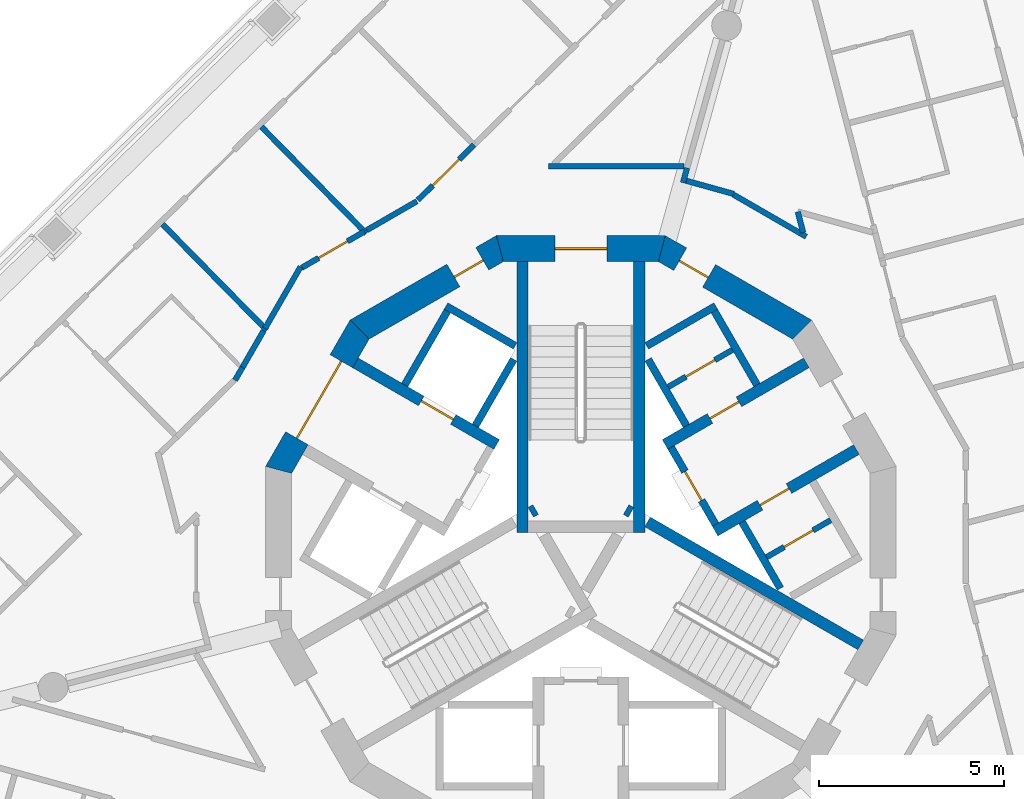
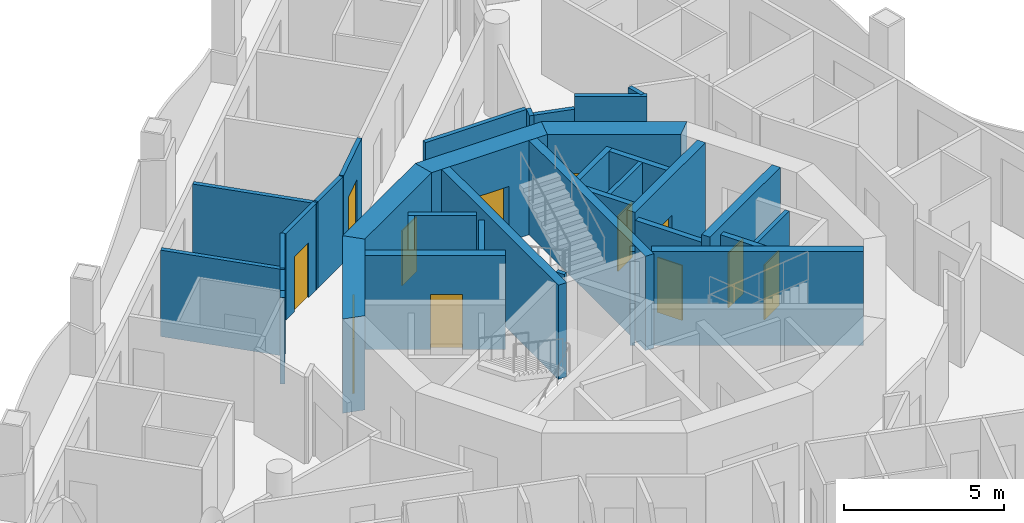
# One storey, part 5 of 15: 35 walls, 12 doors, 12 openings.
"""IFC4 building model written with IfcOpenShell, lengths in metres."""

from ifc_helpers import new_model, si_unit, direction, frame, frame_2d, origin, place, context, subcontext, project, spatial, polyline, rectangle, outline, extrude, material, layer, layer_set, type_object, element, fill, save


model = new_model("IFC4")

# Units and contexts
model_context = context("Model", 3, precision=1e-05, world=origin(), true_north=direction((0.0, 1.0)))
body_context = subcontext(model_context, "Body", "Model", "MODEL_VIEW")
ifc_project = project(units=[si_unit("LENGTHUNIT", "METRE"), si_unit("AREAUNIT", "SQUARE_METRE"), si_unit("VOLUMEUNIT", "CUBIC_METRE"), si_unit("PLANEANGLEUNIT", "RADIAN"), si_unit("MASSUNIT", "GRAM", prefix="KILO")], contexts=[model_context])

# Site, building, storey
site_placement = place(None, origin())
site = spatial("IfcSite", under=ifc_project, at=site_placement, CompositionType="ELEMENT")
building_placement = place(site_placement, origin())
building = spatial("IfcBuilding", under=site, at=building_placement, Name="Trine Commons Tower", CompositionType="ELEMENT")
storey_placement = place(building_placement, frame((0.0, 0.0, 256.5)))
storey = spatial("IfcBuildingStorey", under=building, at=storey_placement, Name="L67", CompositionType="ELEMENT", Elevation=256.5)

# Wall, opening, door
ifc_material_1 = material(Name="Plasterboard partition on steel studs", Category="steel")
ifc_layer_1 = layer(ifc_material_1, 0.14990234375)
ifc_layer_set_1 = layer_set([ifc_layer_1], Name="Plasterboard partition on steel studs")
wall_type_1 = type_object("IfcWallType", Name="Core room partition 150 mm, EI 60", PredefinedType="PARTITIONING", material=ifc_layer_set_1)
wall_1_placement = place(storey_placement, frame((82.35498046875, 66.919921875, 0.0), z_axis=(0.0, 0.0, 1.0), x_axis=(0.866010750942, 0.50002537861, 0.0)))
wall_1 = element("IfcWall", 1, at=wall_1_placement, inside=storey, type_object=wall_type_1, Name="Core room partition L67", PredefinedType="PARTITIONING", context=body_context, shape_type="SweptSolid", body=[
    extrude(rectangle(XDim=2.0, YDim=0.14990234375, at=frame_2d((1.0, 0.0))), origin(), (0.0, 0.0, 1.0), 3.300048828125),
])
opening_1_placement = place(wall_1_placement, frame((0.550537109375, 0.0, 0.0)))
opening_1 = element("IfcOpeningElement", 2, at=opening_1_placement, cuts=wall_1, Name="Opening K15.11", PredefinedType="OPENING", context=body_context, shape_type="SweptSolid", body=[
    extrude(rectangle(XDim=0.89990234375, YDim=2.10009765625, at=frame_2d((0.449951171875, 1.050048828125))), frame((0.0, 0.0849609375, 0.0), z_axis=(0.0, -1.0, 0.0), x_axis=(1.0, 0.0, 0.0)), (0.0, 0.0, 1.0), 0.169921875),
])
ifc_material_2 = material(Name="Steel door leaf, fire-rated", Category="steel")
door_type_1 = type_object("IfcDoorType", Name="Core room door, single leaf 900 x 2100, FD30S", OperationType="SINGLE_SWING_LEFT", PredefinedType="DOOR", material=ifc_material_2)
door_1_placement = place(opening_1_placement, origin())
door_1 = element("IfcDoor", 3, at=door_1_placement, inside=storey, type_object=door_type_1, Name="Door to Comms room L67", OperationType="SINGLE_SWING_RIGHT", OverallHeight=2.10009765625, OverallWidth=0.89990234375, PredefinedType="DOOR", context=body_context, shape_type="SweptSolid", body=[
    extrude(rectangle(XDim=0.89990234375, YDim=2.10009765625, at=frame_2d((0.449951171875, 1.050048828125))), frame((0.0, 0.02490234375, 0.0), z_axis=(0.0, -1.0, 0.0), x_axis=(1.0, 0.0, 0.0)), (0.0, 0.0, 1.0), 0.050048828125),
])
fill(opening_1, door_1)

wall_2_placement = place(storey_placement, frame((85.006103515625, 62.330078125, 0.0), z_axis=(0.0, 0.0, 1.0), x_axis=(0.866010750942, 0.50002537861, 0.0)))
wall_2 = element("IfcWall", 4, at=wall_2_placement, inside=storey, type_object=wall_type_1, Name="Core room partition L67", PredefinedType="PARTITIONING", context=body_context, shape_type="SweptSolid", body=[
    extrude(rectangle(XDim=2.0, YDim=0.14990234375, at=frame_2d((1.0, 0.0))), origin(), (0.0, 0.0, 1.0), 3.300048828125),
])
opening_2_placement = place(wall_2_placement, frame((0.549560546875, 0.0, 0.0)))
opening_2 = element("IfcOpeningElement", 5, at=opening_2_placement, cuts=wall_2, Name="Opening K15.13", PredefinedType="OPENING", context=body_context, shape_type="SweptSolid", body=[
    extrude(rectangle(XDim=0.89990234375, YDim=2.10009765625, at=frame_2d((0.449951171875, 1.050048828125))), frame((0.0, 0.0849609375, 0.0), z_axis=(0.0, -1.0, 0.0), x_axis=(1.0, 0.0, 0.0)), (0.0, 0.0, 1.0), 0.169921875),
])
door_2_placement = place(opening_2_placement, frame((0.89990234375, 0.0, 0.0), z_axis=(0.0, 0.0, 1.0), x_axis=(-1.0, 0.0, 0.0)))
door_2 = element("IfcDoor", 6, at=door_2_placement, inside=storey, type_object=door_type_1, Name="Door to Cleaner's store L67", OperationType="SINGLE_SWING_LEFT", OverallHeight=2.10009765625, OverallWidth=0.89990234375, PredefinedType="DOOR", context=body_context, shape_type="SweptSolid", body=[
    extrude(rectangle(XDim=0.89990234375, YDim=2.10009765625, at=frame_2d((0.449951171875, 1.050048828125))), frame((0.0, 0.02490234375, 0.0), z_axis=(0.0, -1.0, 0.0), x_axis=(1.0, 0.0, 0.0)), (0.0, 0.0, 1.0), 0.050048828125),
])
fill(opening_2, door_2)

ifc_material_3 = material(Name="Fire-rated gypsum shaft wall system")
ifc_layer_2 = layer(ifc_material_3, 0.199951171875)
ifc_layer_set_2 = layer_set([ifc_layer_2], Name="Fire-rated gypsum shaft wall system")
wall_type_2 = type_object("IfcWallType", Name="Lobby end wall 200 mm, EI 120", PredefinedType="PARTITIONING", material=ifc_layer_set_2)
wall_3_placement = place(storey_placement, frame((83.631103515625, 63.2109375, 0.0), z_axis=(0.0, 0.0, 1.0), x_axis=(-0.50012165622, 0.865955154139, 0.0)))
wall_3 = element("IfcWall", 7, at=wall_3_placement, inside=storey, type_object=wall_type_2, Name="Lobby end wall L67", PredefinedType="PARTITIONING", context=body_context, shape_type="SweptSolid", body=[
    extrude(rectangle(XDim=2.39990234375, YDim=0.199951171875, at=frame_2d((1.199951171875, 0.0))), origin(), (0.0, 0.0, 1.0), 3.300048828125),
])
opening_3_placement = place(wall_3_placement, frame((0.749755859375, 0.0, 0.0)))
opening_3 = element("IfcOpeningElement", 8, at=opening_3_placement, cuts=wall_3, Name="Opening K15.05", PredefinedType="OPENING", context=body_context, shape_type="SweptSolid", body=[
    extrude(rectangle(XDim=0.89990234375, YDim=2.10009765625, at=frame_2d((0.449951171875, 1.050048828125))), frame((0.0, 0.10986328125, 0.0), z_axis=(0.0, -1.0, 0.0), x_axis=(1.0, 0.0, 0.0)), (0.0, 0.0, 1.0), 0.219970703125),
])
door_type_2 = type_object("IfcDoorType", Name="Riser access door, single leaf 900 x 2100, FD60", OperationType="SINGLE_SWING_LEFT", PredefinedType="DOOR", material=ifc_material_2)
door_3_placement = place(opening_3_placement, frame((0.89990234375, 0.0, 0.0), z_axis=(0.0, 0.0, 1.0), x_axis=(-1.0, 0.0, 0.0)))
door_3 = element("IfcDoor", 9, at=door_3_placement, inside=storey, type_object=door_type_2, Name="Riser door, Electrical riser L67", OperationType="SINGLE_SWING_LEFT", OverallHeight=2.10009765625, OverallWidth=0.89990234375, PredefinedType="DOOR", context=body_context, shape_type="SweptSolid", body=[
    extrude(rectangle(XDim=0.89990234375, YDim=2.10009765625, at=frame_2d((0.449951171875, 1.050048828125))), frame((0.0, 0.02490234375, 0.0), z_axis=(0.0, -1.0, 0.0), x_axis=(1.0, 0.0, 0.0)), (0.0, 0.0, 1.0), 0.050048828125),
])
fill(opening_3, door_3)

ifc_material_4 = material(Name="Concrete C50/60", Category="concrete")
ifc_layer_3 = layer(ifc_material_4, 0.300048828125)
ifc_layer_set_3 = layer_set([ifc_layer_3], Name="Concrete C50/60")
wall_type_3 = type_object("IfcWallType", Name="RC shear wall 300 mm, C50/60", PredefinedType="SHEAR", material=ifc_layer_set_3)
wall_4_placement = place(storey_placement, frame((77.73095703125, 65.368896484375, 0.0), z_axis=(0.0, 0.0, 1.0), x_axis=(-0.866035918664, 0.499981787252, 0.0)))
wall_4 = element("IfcWall", 10, at=wall_4_placement, inside=storey, type_object=wall_type_3, Name="Core cross wall SWC-02 L67", PredefinedType="SHEAR", context=body_context, shape_type="SweptSolid", body=[
    extrude(rectangle(XDim=4.400634765625, YDim=0.300048828125, at=frame_2d((2.2001953125, 0.0))), origin(), (0.0, 0.0, 1.0), 3.60009765625),
])
opening_4_placement = place(wall_4_placement, frame((1.3505859375, 0.0, 0.0)))
opening_4 = element("IfcOpeningElement", 11, at=opening_4_placement, cuts=wall_4, Name="Opening LD8", PredefinedType="OPENING", context=body_context, shape_type="SweptSolid", body=[
    extrude(rectangle(XDim=1.0, YDim=2.10009765625, at=frame_2d((0.5, 1.050048828125))), frame((0.0, 0.159912109375, 0.0), z_axis=(0.0, -1.0, 0.0), x_axis=(1.0, 0.0, 0.0)), (0.0, 0.0, 1.0), 0.320068359375),
])
ifc_material_5 = material(Name="Stainless steel sliding door leaves", Category="steel")
door_type_3 = type_object("IfcDoorType", Name="Lift landing door, centre-opening sliding 1000 x 2100, FD90", OperationType="DOUBLE_DOOR_SLIDING", PredefinedType="DOOR", material=ifc_material_5)
door_4_placement = place(opening_4_placement, origin())
door_4 = element("IfcDoor", 12, at=door_4_placement, inside=storey, type_object=door_type_3, Name="Lift landing door HR4 L67", OperationType="DOUBLE_DOOR_SLIDING", OverallHeight=2.10009765625, OverallWidth=1.0, PredefinedType="DOOR", context=body_context, shape_type="SweptSolid", body=[
    extrude(rectangle(XDim=1.0, YDim=2.10009765625, at=frame_2d((0.5, 1.050048828125))), frame((0.0, 0.02490234375, 0.0), z_axis=(0.0, -1.0, 0.0), x_axis=(1.0, 0.0, 0.0)), (0.0, 0.0, 1.0), 0.050048828125),
])
fill(opening_4, door_4)

wall_5_placement = place(storey_placement, frame((82.26904296875, 65.368896484375, 0.0), z_axis=(0.0, 0.0, 1.0), x_axis=(0.866035918664, 0.499981787252, 0.0)))
wall_5 = element("IfcWall", 13, at=wall_5_placement, inside=storey, type_object=wall_type_3, Name="Core cross wall SWC-05 L67", PredefinedType="SHEAR", context=body_context, shape_type="SweptSolid", body=[
    extrude(rectangle(XDim=4.400634765625, YDim=0.300048828125, at=frame_2d((2.2001953125, 0.0))), origin(), (0.0, 0.0, 1.0), 3.60009765625),
])
opening_5_placement = place(wall_5_placement, frame((1.400390625, 0.0, 0.0)))
opening_5 = element("IfcOpeningElement", 14, at=opening_5_placement, cuts=wall_5, Name="Opening K15.10", PredefinedType="OPENING", context=body_context, shape_type="SweptSolid", body=[
    extrude(rectangle(XDim=0.89990234375, YDim=2.10009765625, at=frame_2d((0.449951171875, 1.050048828125))), frame((0.0, 0.159912109375, 0.0), z_axis=(0.0, -1.0, 0.0), x_axis=(1.0, 0.0, 0.0)), (0.0, 0.0, 1.0), 0.320068359375),
])
door_5_placement = place(opening_5_placement, origin())
door_5 = element("IfcDoor", 15, at=door_5_placement, inside=storey, type_object=door_type_1, Name="Door to Pantry L67", OperationType="SINGLE_SWING_LEFT", OverallHeight=2.10009765625, OverallWidth=0.89990234375, PredefinedType="DOOR", context=body_context, shape_type="SweptSolid", body=[
    extrude(rectangle(XDim=0.89990234375, YDim=2.10009765625, at=frame_2d((0.449951171875, 1.050048828125))), frame((0.0, 0.02490234375, 0.0), z_axis=(0.0, -1.0, 0.0), x_axis=(1.0, 0.0, 0.0)), (0.0, 0.0, 1.0), 0.050048828125),
])
fill(opening_5, door_5)

wall_6_placement = place(storey_placement, frame((83.618896484375, 63.031005859375, 0.0), z_axis=(0.0, 0.0, 1.0), x_axis=(0.866059941101, 0.499940174841, 0.0)))
wall_6 = element("IfcWall", 16, at=wall_6_placement, inside=storey, type_object=wall_type_3, Name="Core cross wall SWC-06 L67", PredefinedType="SHEAR", context=body_context, shape_type="SweptSolid", body=[
    extrude(rectangle(XDim=4.400390625, YDim=0.300048828125, at=frame_2d((2.2001953125, 0.0))), origin(), (0.0, 0.0, 1.0), 3.60009765625),
])
opening_6_placement = place(wall_6_placement, frame((1.400390625, 0.0, 0.0)))
opening_6 = element("IfcOpeningElement", 17, at=opening_6_placement, cuts=wall_6, Name="Opening K15.12", PredefinedType="OPENING", context=body_context, shape_type="SweptSolid", body=[
    extrude(rectangle(XDim=0.89990234375, YDim=2.10009765625, at=frame_2d((0.449951171875, 1.050048828125))), frame((0.0, 0.159912109375, 0.0), z_axis=(0.0, -1.0, 0.0), x_axis=(1.0, 0.0, 0.0)), (0.0, 0.0, 1.0), 0.320068359375),
])
door_6_placement = place(opening_6_placement, frame((0.89990234375, 0.0, 0.0), z_axis=(0.0, 0.0, 1.0), x_axis=(-1.0, 0.0, 0.0)))
door_6 = element("IfcDoor", 18, at=door_6_placement, inside=storey, type_object=door_type_1, Name="Door to Parcel store L67", OperationType="SINGLE_SWING_LEFT", OverallHeight=2.10009765625, OverallWidth=0.89990234375, PredefinedType="DOOR", context=body_context, shape_type="SweptSolid", body=[
    extrude(rectangle(XDim=0.89990234375, YDim=2.10009765625, at=frame_2d((0.449951171875, 1.050048828125))), frame((0.0, 0.02490234375, 0.0), z_axis=(0.0, -1.0, 0.0), x_axis=(1.0, 0.0, 0.0)), (0.0, 0.0, 1.0), 0.050048828125),
])
fill(opening_6, door_6)

# Walls
wall_7_placement = place(storey_placement, frame((78.425048828125, 63.0009765625, 0.0), z_axis=(0.0, 0.0, 1.0), x_axis=(0.0, 1.0, 0.0)))
element("IfcWall", 19, at=wall_7_placement, inside=storey, type_object=wall_type_3, Name="Core cross wall SWC-08 L67", PredefinedType="SHEAR", context=body_context, shape_type="SweptSolid", body=[
    extrude(rectangle(XDim=7.299072265625, YDim=0.300048828125, at=frame_2d((3.6494140625, 0.0))), origin(), (0.0, 0.0, 1.0), 3.60009765625),
])
for number, where, z_axis, x_axis, name in (
    (20, (78.779052734375, 63.614013671875, 0.0), (0.0, 0.0, 1.0), (-0.867737973955, -0.497021939713, 0.0), "Core cross wall SWC-09 L67"),
    (21, (81.220947265625, 63.614013671875, 0.0), (0.0, 0.0, 1.0), (0.867737973955, -0.497021939713, 0.0), "Core cross wall SWC-15 L67"),
):
    element("IfcWall", number, at=place(storey_placement, frame(where, z_axis=z_axis, x_axis=x_axis)), inside=storey, type_object=wall_type_3, Name=name, PredefinedType="SHEAR", context=body_context, shape_type="SweptSolid", body=[
        extrude(rectangle(XDim=0.14892578125, YDim=0.300048828125, at=frame_2d((0.074462890625, 0.0))), origin(), (0.0, 0.0, 1.0), 3.60009765625),
    ])
wall_8_placement = place(storey_placement, frame((81.574951171875, 63.0009765625, 0.0), z_axis=(0.0, 0.0, 1.0), x_axis=(0.0, 1.0, 0.0)))
element("IfcWall", 22, at=wall_8_placement, inside=storey, type_object=wall_type_3, Name="Core cross wall SWC-17 L67", PredefinedType="SHEAR", context=body_context, shape_type="SweptSolid", body=[
    extrude(rectangle(XDim=7.299072265625, YDim=0.300048828125, at=frame_2d((3.6494140625, 0.0))), origin(), (0.0, 0.0, 1.0), 3.60009765625),
])
wall_9_placement = place(storey_placement, frame((81.800048828125, 63.280029296875, 0.0), z_axis=(0.0, 0.0, 1.0), x_axis=(0.866009627307, -0.500027324665, 0.0)))
element("IfcWall", 23, at=wall_9_placement, inside=storey, type_object=wall_type_3, Name="Core cross wall SWC-18 L67", PredefinedType="SHEAR", context=body_context, shape_type="SweptSolid", body=[
    extrude(rectangle(XDim=6.631591796875, YDim=0.300048828125, at=frame_2d((3.31591796875, 0.0))), origin(), (0.0, 0.0, 1.0), 3.60009765625),
])

# Wall, opening, door
ifc_layer_4 = layer(ifc_material_4, 0.699951171875)
ifc_layer_set_4 = layer_set([ifc_layer_4], Name="Concrete C50/60")
wall_type_4 = type_object("IfcWallType", Name="RC shear wall 700 mm, C50/60", PredefinedType="SHEAR", material=ifc_layer_set_4)
wall_10_placement = place(storey_placement, frame((86.047607421875, 68.41943359375, 0.0), z_axis=(0.0, 0.0, 1.0), x_axis=(-0.866034756103, 0.499983800959, 0.0)))
wall_10 = element("IfcWall", 24, at=wall_10_placement, inside=storey, type_object=wall_type_4, Name="Core wall CWG-03 L67", PredefinedType="SHEAR", context=body_context, shape_type="SweptSolid", body=[
    extrude(outline(polyline([(0.0, -0.35009765625), (4.55517578125, -0.35009765625), (4.36767578125, 0.35009765625), (0.1875, 0.35009765625), (0.0, -0.35009765625)])), origin(), (0.0, 0.0, 1.0), 3.60009765625),
])
opening_7_placement = place(wall_10_placement, frame((2.990966796875, 0.0, 0.0)))
opening_7 = element("IfcOpeningElement", 25, at=opening_7_placement, cuts=wall_10, Name="Opening K15.14", PredefinedType="OPENING", context=body_context, shape_type="SweptSolid", body=[
    extrude(rectangle(XDim=0.89990234375, YDim=2.10009765625, at=frame_2d((0.449951171875, 1.050048828125))), frame((0.0, 0.35986328125, 0.0), z_axis=(0.0, -1.0, 0.0), x_axis=(1.0, 0.0, 0.0)), (0.0, 0.0, 1.0), 0.719970703125),
])
door_7_placement = place(opening_7_placement, origin())
door_7 = element("IfcDoor", 26, at=door_7_placement, inside=storey, type_object=door_type_1, Name="Door to Core WC L67", OperationType="SINGLE_SWING_RIGHT", OverallHeight=2.10009765625, OverallWidth=0.89990234375, PredefinedType="DOOR", context=body_context, shape_type="SweptSolid", body=[
    extrude(rectangle(XDim=0.89990234375, YDim=2.10009765625, at=frame_2d((0.449951171875, 1.050048828125))), frame((0.0, 0.0751953125, 0.0), z_axis=(0.0, -1.0, 0.0), x_axis=(1.0, 0.0, 0.0)), (0.0, 0.0, 1.0), 0.050048828125),
])
fill(opening_7, door_7)

wall_11_placement = place(storey_placement, frame((82.277587890625, 70.650146484375, 0.0), z_axis=(0.0, 0.0, 1.0), x_axis=(-1.0, 0.0, 0.0)))
wall_11 = element("IfcWall", 27, at=wall_11_placement, inside=storey, type_object=wall_type_4, Name="Core wall CWG-04 L67", PredefinedType="SHEAR", context=body_context, shape_type="SweptSolid", body=[
    extrude(outline(polyline([(0.0, -0.35009765625), (4.55517578125, -0.35009765625), (4.36767578125, 0.35009765625), (0.1875, 0.35009765625), (0.0, -0.35009765625)])), origin(), (0.0, 0.0, 1.0), 3.60009765625),
])
opening_8_placement = place(wall_11_placement, frame((1.57763671875, 0.0, 0.0)))
opening_8 = element("IfcOpeningElement", 28, at=opening_8_placement, cuts=wall_11, Name="Opening K15.01", PredefinedType="OPENING", context=body_context, shape_type="SweptSolid", body=[
    extrude(rectangle(XDim=1.39990234375, YDim=2.10009765625, at=frame_2d((0.699951171875, 1.050048828125))), frame((0.0, 0.35986328125, 0.0), z_axis=(0.0, -1.0, 0.0), x_axis=(1.0, 0.0, 0.0)), (0.0, 0.0, 1.0), 0.719970703125),
])
ifc_material_6 = material(Name="Steel door leaves, fire-rated", Category="steel")
door_type_4 = type_object("IfcDoorType", Name="Stair door, double leaf 1400 x 2100, FD90", OperationType="DOUBLE_DOOR_SINGLE_SWING", PredefinedType="DOOR", material=ifc_material_6)
door_8_placement = place(opening_8_placement, origin())
door_8 = element("IfcDoor", 29, at=door_8_placement, inside=storey, type_object=door_type_4, Name="Stair door to Exit stair ST1C L67", OperationType="DOUBLE_DOOR_SINGLE_SWING", OverallHeight=2.10009765625, OverallWidth=1.39990234375, PredefinedType="DOOR", context=body_context, shape_type="SweptSolid", body=[
    extrude(rectangle(XDim=1.39990234375, YDim=2.10009765625, at=frame_2d((0.699951171875, 1.050048828125))), frame((0.0, 0.02490234375, 0.0), z_axis=(0.0, -1.0, 0.0), x_axis=(1.0, 0.0, 0.0)), (0.0, 0.0, 1.0), 0.050048828125),
])
fill(opening_8, door_8)

wall_12_placement = place(storey_placement, frame((77.8974609375, 70.697021484375, 0.0), z_axis=(0.0, 0.0, 1.0), x_axis=(-0.866034756103, -0.499983800959, 0.0)))
wall_12 = element("IfcWall", 30, at=wall_12_placement, inside=storey, type_object=wall_type_4, Name="Core wall CWG-05 L67", PredefinedType="SHEAR", context=body_context, shape_type="SweptSolid", body=[
    extrude(outline(polyline([(0.0, -0.35009765625), (4.55517578125, -0.35009765625), (4.36767578125, 0.35009765625), (0.1875, 0.35009765625), (0.0, -0.35009765625)])), origin(), (0.0, 0.0, 1.0), 3.60009765625),
])
opening_9_placement = place(wall_12_placement, frame((0.641845703125, 0.0, 0.0)))
opening_9 = element("IfcOpeningElement", 31, at=opening_9_placement, cuts=wall_12, Name="Opening K15.15", PredefinedType="OPENING", context=body_context, shape_type="SweptSolid", body=[
    extrude(rectangle(XDim=0.89990234375, YDim=2.10009765625, at=frame_2d((0.449951171875, 1.050048828125))), frame((0.0, 0.35986328125, 0.0), z_axis=(0.0, -1.0, 0.0), x_axis=(1.0, 0.0, 0.0)), (0.0, 0.0, 1.0), 0.719970703125),
])
door_9_placement = place(opening_9_placement, origin())
door_9 = element("IfcDoor", 32, at=door_9_placement, inside=storey, type_object=door_type_1, Name="Door to Accessible WC L67", OperationType="SINGLE_SWING_LEFT", OverallHeight=2.10009765625, OverallWidth=0.89990234375, PredefinedType="DOOR", context=body_context, shape_type="SweptSolid", body=[
    extrude(rectangle(XDim=0.89990234375, YDim=2.10009765625, at=frame_2d((0.449951171875, 1.050048828125))), frame((0.0, 0.0751953125, 0.0), z_axis=(0.0, -1.0, 0.0), x_axis=(1.0, 0.0, 0.0)), (0.0, 0.0, 1.0), 0.050048828125),
])
fill(opening_9, door_9)

wall_13_placement = place(storey_placement, frame((74.08056640625, 68.547607421875, 0.0), z_axis=(0.0, 0.0, 1.0), x_axis=(-0.499983800959, -0.866034756103, 0.0)))
wall_13 = element("IfcWall", 33, at=wall_13_placement, inside=storey, type_object=wall_type_4, Name="Core wall CWG-06 L67", PredefinedType="SHEAR", context=body_context, shape_type="SweptSolid", body=[
    extrude(outline(polyline([(0.0, -0.35009765625), (4.55517578125, -0.35009765625), (4.36767578125, 0.35009765625), (0.1875, 0.35009765625), (0.0, -0.35009765625)])), origin(), (0.0, 0.0, 1.0), 3.60009765625),
])
opening_10_placement = place(wall_13_placement, frame((1.077392578125, 0.0, 0.0)))
opening_10 = element("IfcOpeningElement", 34, at=opening_10_placement, cuts=wall_13, Name="Opening K15.06", PredefinedType="OPENING", context=body_context, shape_type="SweptSolid", body=[
    extrude(rectangle(XDim=2.39990234375, YDim=2.10009765625, at=frame_2d((1.199951171875, 1.050048828125))), frame((0.0, 0.35986328125, 0.0), z_axis=(0.0, -1.0, 0.0), x_axis=(1.0, 0.0, 0.0)), (0.0, 0.0, 1.0), 0.719970703125),
])
door_type_5 = type_object("IfcDoorType", Name="Lobby door, double leaf 2400 x 2100, FD60", OperationType="DOUBLE_DOOR_SINGLE_SWING", PredefinedType="DOOR", material=ifc_material_6)
door_10_placement = place(opening_10_placement, origin())
door_10 = element("IfcDoor", 35, at=door_10_placement, inside=storey, type_object=door_type_5, Name="Lobby door, Passenger lift lobby B L67", OperationType="DOUBLE_DOOR_SINGLE_SWING", OverallHeight=2.10009765625, OverallWidth=2.39990234375, PredefinedType="DOOR", context=body_context, shape_type="SweptSolid", body=[
    extrude(rectangle(XDim=2.39990234375, YDim=2.10009765625, at=frame_2d((1.199951171875, 1.050048828125))), frame((0.0, 0.02490234375, 0.0), z_axis=(0.0, -1.0, 0.0), x_axis=(1.0, 0.0, 0.0)), (0.0, 0.0, 1.0), 0.050048828125),
])
fill(opening_10, door_10)

# Walls
ifc_layer_5 = layer(ifc_material_3, 0.199951171875)
ifc_layer_set_5 = layer_set([ifc_layer_5], Name="Fire-rated gypsum shaft wall system")
wall_type_5 = type_object("IfcWallType", Name="Shaft wall 200 mm, EI 120", PredefinedType="PARTITIONING", material=ifc_layer_set_5)
wall_14_placement = place(storey_placement, frame((75.2509765625, 66.97412109375, 0.0), z_axis=(0.0, 0.0, 1.0), x_axis=(0.500136062276, 0.86594683394, 0.0)))
element("IfcWall", 36, at=wall_14_placement, inside=storey, type_object=wall_type_5, Name="Shaft wall L67", PredefinedType="PARTITIONING", context=body_context, shape_type="SweptSolid", body=[
    extrude(rectangle(XDim=2.299072265625, YDim=0.199951171875, at=frame_2d((1.1494140625, 0.0))), origin(), (0.0, 0.0, 1.0), 3.300048828125),
])
wall_15_placement = place(storey_placement, frame((77.156005859375, 65.8740234375, 0.0), z_axis=(0.0, 0.0, 1.0), x_axis=(0.499865770674, 0.866102887253, 0.0)))
element("IfcWall", 37, at=wall_15_placement, inside=storey, type_object=wall_type_5, Name="Shaft wall L67", PredefinedType="PARTITIONING", context=body_context, shape_type="SweptSolid", body=[
    extrude(rectangle(XDim=2.064453125, YDim=0.199951171875, at=frame_2d((1.0322265625, 0.0))), origin(), (0.0, 0.0, 1.0), 3.300048828125),
])
for number, where, z_axis, x_axis, name in (
    (38, (78.22509765625, 68.028076171875, 0.0), (0.0, 0.0, 1.0), (-0.866130725101, 0.499817533742, 0.0), "Shaft wall L67"),
    (39, (81.77490234375, 68.028076171875, 0.0), (0.0, 0.0, 1.0), (0.866130725101, 0.499817533742, 0.0), "Shaft wall L67"),
):
    element("IfcWall", number, at=place(storey_placement, frame(where, z_axis=z_axis, x_axis=x_axis)), inside=storey, type_object=wall_type_5, Name=name, PredefinedType="PARTITIONING", context=body_context, shape_type="SweptSolid", body=[
        extrude(rectangle(XDim=2.148681640625, YDim=0.199951171875, at=frame_2d((1.07421875, 0.0))), origin(), (0.0, 0.0, 1.0), 3.300048828125),
    ])
wall_16_placement = place(storey_placement, frame((82.843994140625, 65.8740234375, 0.0), z_axis=(0.0, 0.0, 1.0), x_axis=(-0.499865770674, 0.866102887253, 0.0)))
element("IfcWall", 40, at=wall_16_placement, inside=storey, type_object=wall_type_5, Name="Shaft wall L67", PredefinedType="PARTITIONING", context=body_context, shape_type="SweptSolid", body=[
    extrude(rectangle(XDim=2.064453125, YDim=0.199951171875, at=frame_2d((1.0322265625, 0.0))), origin(), (0.0, 0.0, 1.0), 3.300048828125),
])
wall_17_placement = place(storey_placement, frame((84.343994140625, 63.27587890625, 0.0), z_axis=(0.0, 0.0, 1.0), x_axis=(0.500271688072, -0.86586848777, 0.0)))
element("IfcWall", 41, at=wall_17_placement, inside=storey, type_object=wall_type_5, Name="Shaft wall L67", PredefinedType="PARTITIONING", context=body_context, shape_type="SweptSolid", body=[
    extrude(rectangle(XDim=2.064697265625, YDim=0.199951171875, at=frame_2d((1.0322265625, 0.0))), origin(), (0.0, 0.0, 1.0), 3.300048828125),
])
wall_18_placement = place(storey_placement, frame((84.7490234375, 66.97412109375, 0.0), z_axis=(0.0, 0.0, 1.0), x_axis=(-0.500136062276, 0.86594683394, 0.0)))
element("IfcWall", 42, at=wall_18_placement, inside=storey, type_object=wall_type_5, Name="Shaft wall L67", PredefinedType="PARTITIONING", context=body_context, shape_type="SweptSolid", body=[
    extrude(rectangle(XDim=2.299072265625, YDim=0.199951171875, at=frame_2d((1.1494140625, 0.0))), origin(), (0.0, 0.0, 1.0), 3.300048828125),
])
ifc_material_7 = material(Name="Gypsum plasterboard on steel stud", Category="steel")
ifc_layer_6 = layer(ifc_material_7, 0.14990234375)
ifc_layer_set_6 = layer_set([ifc_layer_6], Name="Gypsum plasterboard on steel stud")
wall_type_6 = type_object("IfcWallType", Name="Unit and corridor wall 150 mm, EI 60", PredefinedType="PARTITIONING", material=ifc_layer_set_6)
wall_19_placement = place(storey_placement, frame((68.720947265625, 71.3076171875, 0.0), z_axis=(0.0, 0.0, 1.0), x_axis=(0.700815785944, -0.713342298039, 0.0)))
element("IfcWall", 43, at=wall_19_placement, inside=storey, type_object=wall_type_6, Name="Partition 024", PredefinedType="PARTITIONING", context=body_context, shape_type="SweptSolid", body=[
    extrude(rectangle(XDim=4.014892578125, YDim=0.14990234375, at=frame_2d((2.00732421875, 0.0))), origin(), (0.0, 0.0, 1.0), 3.300048828125),
])
wall_20_placement = place(storey_placement, frame((70.67578125, 67.101806640625, 0.0), z_axis=(0.0, 0.0, 1.0), x_axis=(0.500795801589, 0.865565459749, 0.0)))
element("IfcWall", 44, at=wall_20_placement, inside=storey, type_object=wall_type_6, Name="Partition 035", PredefinedType="PARTITIONING", context=body_context, shape_type="SweptSolid", body=[
    extrude(rectangle(XDim=0.400146484375, YDim=0.14990234375, at=frame_2d((0.2001953125, 0.0))), origin(), (0.0, 0.0, 1.0), 3.300048828125),
])
wall_21_placement = place(storey_placement, frame((70.8359375, 67.378662109375, 0.0), z_axis=(0.0, 0.0, 1.0), x_axis=(0.500074377092, 0.865982457891, 0.0)))
element("IfcWall", 45, at=wall_21_placement, inside=storey, type_object=wall_type_6, Name="Partition 037", PredefinedType="PARTITIONING", context=body_context, shape_type="SweptSolid", body=[
    extrude(rectangle(XDim=1.220947265625, YDim=0.14990234375, at=frame_2d((0.6103515625, 0.0))), origin(), (0.0, 0.0, 1.0), 3.300048828125),
])
wall_22_placement = place(storey_placement, frame((71.389892578125, 73.931396484375, 0.0), z_axis=(0.0, 0.0, 1.0), x_axis=(0.700963396894, -0.713197249164, 0.0)))
element("IfcWall", 46, at=wall_22_placement, inside=storey, type_object=wall_type_6, Name="Partition 039", PredefinedType="PARTITIONING", context=body_context, shape_type="SweptSolid", body=[
    extrude(rectangle(XDim=4.03125, YDim=0.14990234375, at=frame_2d((2.015625, 0.0))), origin(), (0.0, 0.0, 1.0), 3.300048828125),
])
wall_23_placement = place(storey_placement, frame((71.47998046875, 68.493896484375, 0.0), z_axis=(0.0, 0.0, 1.0), x_axis=(0.500205717672, 0.865906600049, 0.0)))
element("IfcWall", 47, at=wall_23_placement, inside=storey, type_object=wall_type_6, Name="Partition 040", PredefinedType="PARTITIONING", context=body_context, shape_type="SweptSolid", body=[
    extrude(rectangle(XDim=1.924072265625, YDim=0.14990234375, at=frame_2d((0.9619140625, 0.0))), origin(), (0.0, 0.0, 1.0), 3.300048828125),
])

# Wall, opening, door
wall_24_placement = place(storey_placement, frame((72.469970703125, 70.132568359375, 0.0), z_axis=(0.0, 0.0, 1.0), x_axis=(0.865963449651, 0.500107292357, 0.0)))
wall_24 = element("IfcWall", 48, at=wall_24_placement, inside=storey, type_object=wall_type_6, Name="Partition 042", PredefinedType="PARTITIONING", context=body_context, shape_type="SweptSolid", body=[
    extrude(rectangle(XDim=1.95849609375, YDim=0.14990234375, at=frame_2d((0.979248046875, 0.0))), origin(), (0.0, 0.0, 1.0), 3.300048828125),
])
opening_11_placement = place(wall_24_placement, frame((0.527587890625, 0.0, 0.0)))
opening_11 = element("IfcOpeningElement", 49, at=opening_11_placement, cuts=wall_24, Name="Opening D-7C06", PredefinedType="OPENING", context=body_context, shape_type="SweptSolid", body=[
    extrude(rectangle(XDim=0.89990234375, YDim=2.10009765625, at=frame_2d((0.449951171875, 1.050048828125))), frame((0.0, 0.0849609375, 0.0), z_axis=(0.0, -1.0, 0.0), x_axis=(1.0, 0.0, 0.0)), (0.0, 0.0, 1.0), 0.169921875),
])
ifc_material_8 = material(Name="Timber fire door set", Category="wood")
door_type_6 = type_object("IfcDoorType", Name="Service door 900 x 2100, FD30S", OperationType="NOTDEFINED", PredefinedType="DOOR", material=ifc_material_8)
door_11_placement = place(opening_11_placement, origin())
door_11 = element("IfcDoor", 50, at=door_11_placement, inside=storey, type_object=door_type_6, Name="Door D-7C06", OperationType="SINGLE_SWING_LEFT", OverallHeight=2.10009765625, OverallWidth=0.89990234375, PredefinedType="DOOR", context=body_context, shape_type="SweptSolid", body=[
    extrude(rectangle(XDim=0.89990234375, YDim=2.10009765625, at=frame_2d((0.449951171875, 1.050048828125))), frame((0.0, 0.02490234375, 0.0), z_axis=(0.0, -1.0, 0.0), x_axis=(1.0, 0.0, 0.0)), (0.0, 0.0, 1.0), 0.050048828125),
])
fill(opening_11, door_11)

# Wall
wall_25_placement = place(storey_placement, frame((74.22412109375, 71.1455078125, 0.0), z_axis=(0.0, 0.0, 1.0), x_axis=(0.866052944554, 0.499952294954, 0.0)))
element("IfcWall", 51, at=wall_25_placement, inside=storey, type_object=wall_type_6, Name="Partition 046", PredefinedType="PARTITIONING", context=body_context, shape_type="SweptSolid", body=[
    extrude(rectangle(XDim=1.563232421875, YDim=0.14990234375, at=frame_2d((0.78173828125, 0.0))), origin(), (0.0, 0.0, 1.0), 3.300048828125),
])

# Wall, opening, door
wall_26_placement = place(storey_placement, frame((75.60498046875, 71.9599609375, 0.0), z_axis=(0.0, 0.0, 1.0), x_axis=(0.713406050761, 0.70075088779, 0.0)))
wall_26 = element("IfcWall", 52, at=wall_26_placement, inside=storey, type_object=wall_type_6, Name="Partition 048", PredefinedType="PARTITIONING", context=body_context, shape_type="SweptSolid", body=[
    extrude(rectangle(XDim=2.1220703125, YDim=0.14990234375, at=frame_2d((1.06103515625, 0.0))), origin(), (0.0, 0.0, 1.0), 3.300048828125),
])
opening_12_placement = place(wall_26_placement, frame((0.559326171875, 0.0, 0.0)))
opening_12 = element("IfcOpeningElement", 53, at=opening_12_placement, cuts=wall_26, Name="Opening D-7C07", PredefinedType="OPENING", context=body_context, shape_type="SweptSolid", body=[
    extrude(rectangle(XDim=1.0, YDim=2.10009765625, at=frame_2d((0.5, 1.050048828125))), frame((0.0, 0.0849609375, 0.0), z_axis=(0.0, -1.0, 0.0), x_axis=(1.0, 0.0, 0.0)), (0.0, 0.0, 1.0), 0.169921875),
])
ifc_material_9 = material(Name="Painted timber", Category="wood")
door_type_7 = type_object("IfcDoorType", Name="Amenity room door 1000 x 2100, NOT RATED", OperationType="NOTDEFINED", PredefinedType="DOOR", material=ifc_material_9)
door_12_placement = place(opening_12_placement, origin())
door_12 = element("IfcDoor", 54, at=door_12_placement, inside=storey, type_object=door_type_7, Name="Door D-7C07", OperationType="SINGLE_SWING_LEFT", OverallHeight=2.10009765625, OverallWidth=1.0, PredefinedType="DOOR", context=body_context, shape_type="SweptSolid", body=[
    extrude(rectangle(XDim=1.0, YDim=2.10009765625, at=frame_2d((0.5, 1.050048828125))), frame((0.0, 0.02490234375, 0.0), z_axis=(0.0, -1.0, 0.0), x_axis=(1.0, 0.0, 0.0)), (0.0, 0.0, 1.0), 0.050048828125),
])
fill(opening_12, door_12)

# Walls
wall_27_placement = place(storey_placement, frame((79.133056640625, 72.875, 0.0), z_axis=(0.0, 0.0, 1.0), x_axis=(1.0, 0.0, 0.0)))
element("IfcWall", 55, at=wall_27_placement, inside=storey, type_object=wall_type_6, Name="Partition 053", PredefinedType="PARTITIONING", context=body_context, shape_type="SweptSolid", body=[
    extrude(rectangle(XDim=3.64697265625, YDim=0.14990234375, at=frame_2d((1.823486328125, 0.0))), origin(), (0.0, 0.0, 1.0), 2.800048828125),
])
wall_28_placement = place(storey_placement, frame((82.7529296875, 72.42578125, 0.0), z_axis=(0.0, 0.0, 1.0), x_axis=(0.266887464326, 0.96372770085, 0.0)))
element("IfcWall", 56, at=wall_28_placement, inside=storey, type_object=wall_type_6, Name="Partition 065", PredefinedType="PARTITIONING", context=body_context, shape_type="SweptSolid", body=[
    extrude(rectangle(XDim=0.416259765625, YDim=0.14990234375, at=frame_2d((0.2080078125, 0.0))), origin(), (0.0, 0.0, 1.0), 2.800048828125),
])
wall_29_placement = place(storey_placement, frame((82.84521484375, 72.477783203125, 0.0), z_axis=(0.0, 0.0, 1.0), x_axis=(0.963623826389, -0.267262270467, 0.0)))
element("IfcWall", 57, at=wall_29_placement, inside=storey, type_object=wall_type_6, Name="Partition 066", PredefinedType="PARTITIONING", context=body_context, shape_type="SweptSolid", body=[
    extrude(rectangle(XDim=1.320068359375, YDim=0.14990234375, at=frame_2d((0.66015625, 0.0))), origin(), (0.0, 0.0, 1.0), 2.800048828125),
])
wall_30_placement = place(storey_placement, frame((84.10986328125, 72.107421875, 0.0), z_axis=(0.0, 0.0, 1.0), x_axis=(0.865965412825, -0.500103892997, 0.0)))
element("IfcWall", 58, at=wall_30_placement, inside=storey, type_object=wall_type_6, Name="Partition 071", PredefinedType="PARTITIONING", context=body_context, shape_type="SweptSolid", body=[
    extrude(rectangle(XDim=2.271484375, YDim=0.14990234375, at=frame_2d((1.1357421875, 0.0))), origin(), (0.0, 0.0, 1.0), 3.300048828125),
])
wall_31_placement = place(storey_placement, frame((85.847900390625, 71.64208984375, 0.0), z_axis=(0.0, 0.0, 1.0), x_axis=(0.250859734684, -0.968023446779, 0.0)))
element("IfcWall", 59, at=wall_31_placement, inside=storey, type_object=wall_type_6, Name="Partition 079", PredefinedType="PARTITIONING", context=body_context, shape_type="SweptSolid", body=[
    extrude(rectangle(XDim=0.5791015625, YDim=0.14990234375, at=frame_2d((0.28955078125, 0.0))), origin(), (0.0, 0.0, 1.0), 3.300048828125),
])

save(model, "model.ifc")
